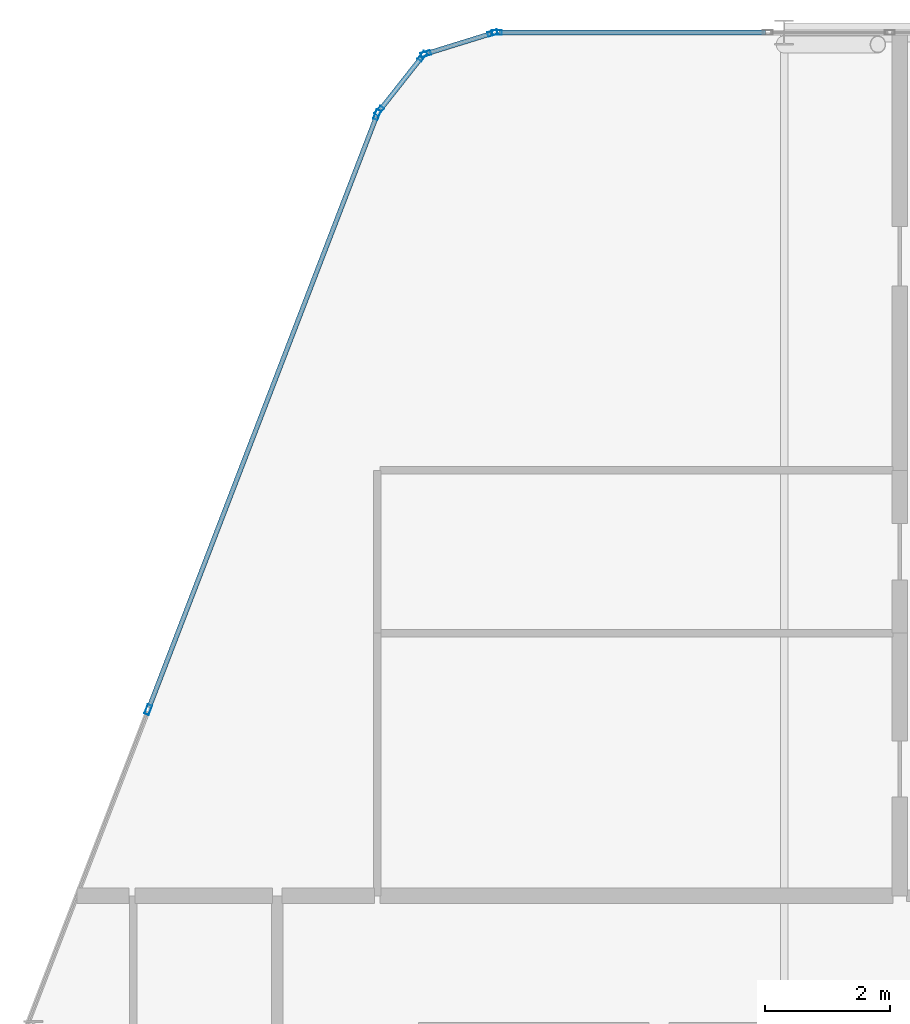
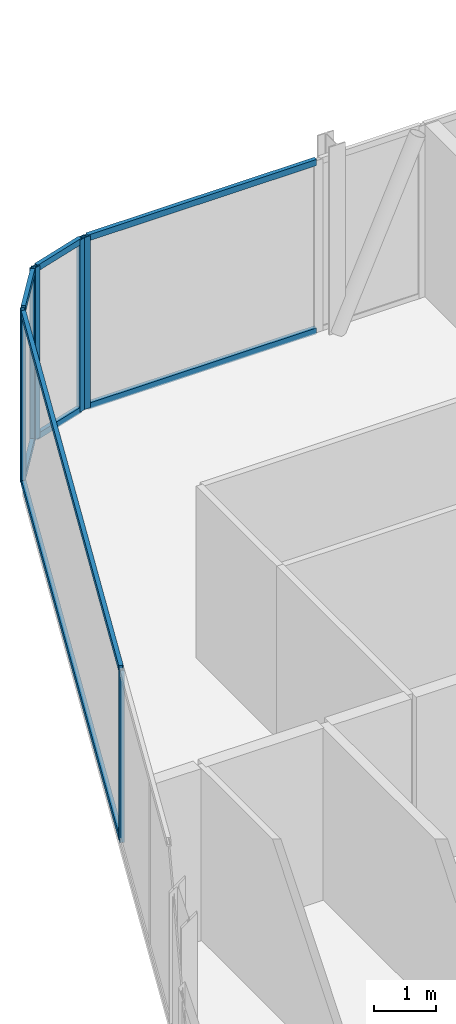
# One storey, part 15 of 27: 15 members, 4 elements without a shape of their own.
"""IFC4 building model written with IfcOpenShell, lengths in metres."""

from ifc_helpers import new_model, si_unit, direction, frame, origin, origin_2d, place, context, subcontext, project, spatial, hollow_rectangle, extrude, material, layer, layer_set, material_profile, profile_set, type_object, element, aggregate, save


model = new_model("IFC4")

# Units and contexts
model_context = context("Model", 3, precision=1e-05, world=origin(), true_north=direction((0.0, 1.0)))
body_context = subcontext(model_context, "Body", "Model", "MODEL_VIEW")
ifc_project = project(units=[si_unit("LENGTHUNIT", "METRE"), si_unit("AREAUNIT", "SQUARE_METRE"), si_unit("VOLUMEUNIT", "CUBIC_METRE"), si_unit("PLANEANGLEUNIT", "RADIAN"), si_unit("MASSUNIT", "GRAM", prefix="KILO")], contexts=[model_context])

# Site, building, storey
site_placement = place(None, origin())
site = spatial("IfcSite", under=ifc_project, at=site_placement, CompositionType="ELEMENT")
building_placement = place(site_placement, origin())
building = spatial("IfcBuilding", under=site, at=building_placement, Name="Keshet Zoharim Tower", CompositionType="ELEMENT")
storey_placement = place(building_placement, frame((0.0, 0.0, 254.699951171875)))
storey = spatial("IfcBuildingStorey", under=building, at=storey_placement, Name="L63", CompositionType="ELEMENT", Elevation=254.699951171875)

# Curtain wall, members
ifc_material = material(Name="Aluminium 6063-T6", Category="aluminium")
ifc_layer = layer(ifc_material, 0.260009765625)
ifc_layer_set = layer_set([ifc_layer], Name="Aluminium 6063-T6")
curtain_wall_type = type_object("IfcCurtainWallType", Name="CW-SYS-06", PredefinedType="NOTDEFINED", material=ifc_layer_set)
curtain_wall_1_placement = place(storey_placement, origin())
curtain_wall_1 = element("IfcCurtainWall", 1, at=curtain_wall_1_placement, inside=storey, type_object=curtain_wall_type, Name="L63 Unitised Curtain Wall 03", PredefinedType="NOTDEFINED")
ifc_material_profile_1 = material_profile(ifc_material, hollow_rectangle(XDim=0.074951171875, YDim=0.159912109375, WallThickness=0.00390625, at=origin_2d()), Name="MUL-75x160")
ifc_profile_set_1 = profile_set([ifc_material_profile_1], Name="Aluminium 6063-T6")
member_type_1 = type_object("IfcMemberType", Name="CWM-M15", PredefinedType="MULLION", material=ifc_profile_set_1)
member_1_placement = place(storey_placement, frame((10.8369140625, 43.076416015625, 0.0), z_axis=(0.0, 0.0, 1.0), x_axis=(-0.933341404361, 0.358990003907, 0.0)))
member_1 = element("IfcMember", 2, at=member_1_placement, type_object=member_type_1, Name="CW-06 mullion 3", PredefinedType="MULLION", context=body_context, shape_type="SweptSolid", body=[
    extrude(hollow_rectangle(XDim=0.074951171875, YDim=0.159912109375, WallThickness=0.00390625, at=origin_2d()), origin(), (0.0, 0.0, 1.0), 3.39013671875),
])
member_2_placement = place(storey_placement, frame((14.494384765625, 52.58544921875, 0.0), z_axis=(0.0, 0.0, 1.0), x_axis=(-0.933341404361, 0.358990003907, 0.0)))
member_2 = element("IfcMember", 3, at=member_2_placement, type_object=member_type_1, Name="CW-06 mullion 4", PredefinedType="MULLION", context=body_context, shape_type="SweptSolid", body=[
    extrude(hollow_rectangle(XDim=0.074951171875, YDim=0.159912109375, WallThickness=0.00390625, at=origin_2d()), origin(), (0.0, 0.0, 1.0), 3.39013671875),
])

curtain_wall_2_placement = place(storey_placement, origin())
curtain_wall_2 = element("IfcCurtainWall", 4, at=curtain_wall_2_placement, inside=storey, type_object=curtain_wall_type, Name="L63 Unitised Curtain Wall 04", PredefinedType="NOTDEFINED")
member_3_placement = place(storey_placement, frame((14.528564453125, 52.6455078125, 0.0), z_axis=(0.0, 0.0, 1.0), x_axis=(-0.785292825205, 0.619124525989, 0.0)))
member_3 = element("IfcMember", 5, at=member_3_placement, type_object=member_type_1, Name="CW-06 mullion 1", PredefinedType="MULLION", context=body_context, shape_type="SweptSolid", body=[
    extrude(hollow_rectangle(XDim=0.074951171875, YDim=0.159912109375, WallThickness=0.00390625, at=origin_2d()), origin(), (0.0, 0.0, 1.0), 3.39013671875),
])
member_4_placement = place(storey_placement, frame((15.21923828125, 53.521484375, 0.0), z_axis=(0.0, 0.0, 1.0), x_axis=(-0.785292825205, 0.619124525989, 0.0)))
member_4 = element("IfcMember", 6, at=member_4_placement, type_object=member_type_1, Name="CW-06 mullion 2", PredefinedType="MULLION", context=body_context, shape_type="SweptSolid", body=[
    extrude(hollow_rectangle(XDim=0.074951171875, YDim=0.159912109375, WallThickness=0.00390625, at=origin_2d()), origin(), (0.0, 0.0, 1.0), 3.39013671875),
])

curtain_wall_3_placement = place(storey_placement, origin())
curtain_wall_3 = element("IfcCurtainWall", 7, at=curtain_wall_3_placement, inside=storey, type_object=curtain_wall_type, Name="L63 Unitised Curtain Wall 05", PredefinedType="NOTDEFINED")
member_5_placement = place(storey_placement, frame((15.2744140625, 53.559326171875, 0.0), z_axis=(0.0, 0.0, 1.0), x_axis=(-0.295921857984, 0.955212151288, 0.0)))
member_5 = element("IfcMember", 8, at=member_5_placement, type_object=member_type_1, Name="CW-06 mullion 1", PredefinedType="MULLION", context=body_context, shape_type="SweptSolid", body=[
    extrude(hollow_rectangle(XDim=0.074951171875, YDim=0.159912109375, WallThickness=0.00390625, at=origin_2d()), origin(), (0.0, 0.0, 1.0), 3.39013671875),
])
member_6_placement = place(storey_placement, frame((16.340576171875, 53.8896484375, 0.0), z_axis=(0.0, 0.0, 1.0), x_axis=(-0.295921857984, 0.955212151288, 0.0)))
member_6 = element("IfcMember", 9, at=member_6_placement, type_object=member_type_1, Name="CW-06 mullion 2", PredefinedType="MULLION", context=body_context, shape_type="SweptSolid", body=[
    extrude(hollow_rectangle(XDim=0.074951171875, YDim=0.159912109375, WallThickness=0.00390625, at=origin_2d()), origin(), (0.0, 0.0, 1.0), 3.39013671875),
])

# Curtain wall, member
curtain_wall_4_placement = place(storey_placement, origin())
curtain_wall_4 = element("IfcCurtainWall", 10, at=curtain_wall_4_placement, inside=storey, type_object=curtain_wall_type, Name="L63 Unitised Curtain Wall 06", PredefinedType="NOTDEFINED")
member_7_placement = place(storey_placement, frame((16.408935546875, 53.89990234375, 0.0), z_axis=(0.0, 0.0, 1.0), x_axis=(0.0, 1.0, 0.0)))
member_7 = element("IfcMember", 11, at=member_7_placement, type_object=member_type_1, Name="CW-06 mullion 1", PredefinedType="MULLION", context=body_context, shape_type="SweptSolid", body=[
    extrude(hollow_rectangle(XDim=0.074951171875, YDim=0.159912109375, WallThickness=0.00390625, at=origin_2d()), origin(), (0.0, 0.0, 1.0), 3.39013671875),
])

# Member
ifc_material_profile_2 = material_profile(ifc_material, hollow_rectangle(XDim=0.074951171875, YDim=0.1201171875, WallThickness=0.00390625, at=origin_2d()), Name="TRN-75x120")
ifc_profile_set_2 = profile_set([ifc_material_profile_2], Name="Aluminium 6063-T6")
member_type_2 = type_object("IfcMemberType", Name="CWT-T12", PredefinedType="USERDEFINED", material=ifc_profile_set_2)
member_8_placement = place(storey_placement, frame((10.849609375, 43.10888671875, 0.03515625), z_axis=(0.358985546764, 0.933343118694, 0.0), x_axis=(-0.933343118694, 0.358985546764, 0.0)))
member_8 = element("IfcMember", 12, at=member_8_placement, type_object=member_type_2, Name="CW-06 transom 3.1", ObjectType="TRANSOM", PredefinedType="USERDEFINED", context=body_context, shape_type="SweptSolid", body=[
    extrude(hollow_rectangle(XDim=0.074951171875, YDim=0.1201171875, WallThickness=0.00390625, at=origin_2d()), origin(), (0.0, 0.0, 1.0), 10.118408203125),
])

member_9_placement = place(storey_placement, frame((10.849609375, 43.10888671875, 3.35498046875), z_axis=(0.358985546764, 0.933343118694, 0.0), x_axis=(-0.933343118694, 0.358985546764, 0.0)))
member_9 = element("IfcMember", 13, at=member_9_placement, type_object=member_type_2, Name="CW-06 transom 3.2", ObjectType="TRANSOM", PredefinedType="USERDEFINED", context=body_context, shape_type="SweptSolid", body=[
    extrude(hollow_rectangle(XDim=0.074951171875, YDim=0.1201171875, WallThickness=0.00390625, at=origin_2d()), origin(), (0.0, 0.0, 1.0), 10.118408203125),
])

aggregate(curtain_wall_1, [member_1, member_2, member_8, member_9])

member_10_placement = place(storey_placement, frame((14.55029296875, 52.6728515625, 0.03515625), z_axis=(0.619099165969, 0.78531281837, 0.0), x_axis=(-0.78531281837, 0.619099165969, 0.0)))
member_10 = element("IfcMember", 14, at=member_10_placement, type_object=member_type_2, Name="CW-06 transom 1.1", ObjectType="TRANSOM", PredefinedType="USERDEFINED", context=body_context, shape_type="SweptSolid", body=[
    extrude(hollow_rectangle(XDim=0.074951171875, YDim=0.1201171875, WallThickness=0.00390625, at=origin_2d()), origin(), (0.0, 0.0, 1.0), 1.0458984375),
])

member_11_placement = place(storey_placement, frame((14.55029296875, 52.6728515625, 3.35498046875), z_axis=(0.619099165969, 0.78531281837, 0.0), x_axis=(-0.78531281837, 0.619099165969, 0.0)))
member_11 = element("IfcMember", 15, at=member_11_placement, type_object=member_type_2, Name="CW-06 transom 1.2", ObjectType="TRANSOM", PredefinedType="USERDEFINED", context=body_context, shape_type="SweptSolid", body=[
    extrude(hollow_rectangle(XDim=0.074951171875, YDim=0.1201171875, WallThickness=0.00390625, at=origin_2d()), origin(), (0.0, 0.0, 1.0), 1.0458984375),
])

aggregate(curtain_wall_2, [member_3, member_4, member_10, member_11])

member_12_placement = place(storey_placement, frame((15.307861328125, 53.56982421875, 0.03515625), z_axis=(0.955212093062, 0.295922045933, 0.0), x_axis=(-0.295922045933, 0.955212093062, 0.0)))
member_12 = element("IfcMember", 16, at=member_12_placement, type_object=member_type_2, Name="CW-06 transom 1.1", ObjectType="TRANSOM", PredefinedType="USERDEFINED", context=body_context, shape_type="SweptSolid", body=[
    extrude(hollow_rectangle(XDim=0.074951171875, YDim=0.1201171875, WallThickness=0.00390625, at=origin_2d()), origin(), (0.0, 0.0, 1.0), 1.046142578125),
])

member_13_placement = place(storey_placement, frame((15.307861328125, 53.56982421875, 3.35498046875), z_axis=(0.955212093062, 0.295922045933, 0.0), x_axis=(-0.295922045933, 0.955212093062, 0.0)))
member_13 = element("IfcMember", 17, at=member_13_placement, type_object=member_type_2, Name="CW-06 transom 1.2", ObjectType="TRANSOM", PredefinedType="USERDEFINED", context=body_context, shape_type="SweptSolid", body=[
    extrude(hollow_rectangle(XDim=0.074951171875, YDim=0.1201171875, WallThickness=0.00390625, at=origin_2d()), origin(), (0.0, 0.0, 1.0), 1.046142578125),
])

aggregate(curtain_wall_3, [member_5, member_6, member_12, member_13])

member_14_placement = place(storey_placement, frame((16.444091796875, 53.89990234375, 0.03515625), z_axis=(1.0, 0.0, 0.0), x_axis=(0.0, 1.0, 0.0)))
member_14 = element("IfcMember", 18, at=member_14_placement, type_object=member_type_2, Name="CW-06 transom 1.1", ObjectType="TRANSOM", PredefinedType="USERDEFINED", context=body_context, shape_type="SweptSolid", body=[
    extrude(hollow_rectangle(XDim=0.074951171875, YDim=0.1201171875, WallThickness=0.00390625, at=origin_2d()), origin(), (0.0, 0.0, 1.0), 4.260986328125),
])

member_15_placement = place(storey_placement, frame((16.444091796875, 53.89990234375, 3.35498046875), z_axis=(1.0, 0.0, 0.0), x_axis=(0.0, 1.0, 0.0)))
member_15 = element("IfcMember", 19, at=member_15_placement, type_object=member_type_2, Name="CW-06 transom 1.2", ObjectType="TRANSOM", PredefinedType="USERDEFINED", context=body_context, shape_type="SweptSolid", body=[
    extrude(hollow_rectangle(XDim=0.074951171875, YDim=0.1201171875, WallThickness=0.00390625, at=origin_2d()), origin(), (0.0, 0.0, 1.0), 4.260986328125),
])

aggregate(curtain_wall_4, [member_7, member_14, member_15])

save(model, "model.ifc")
